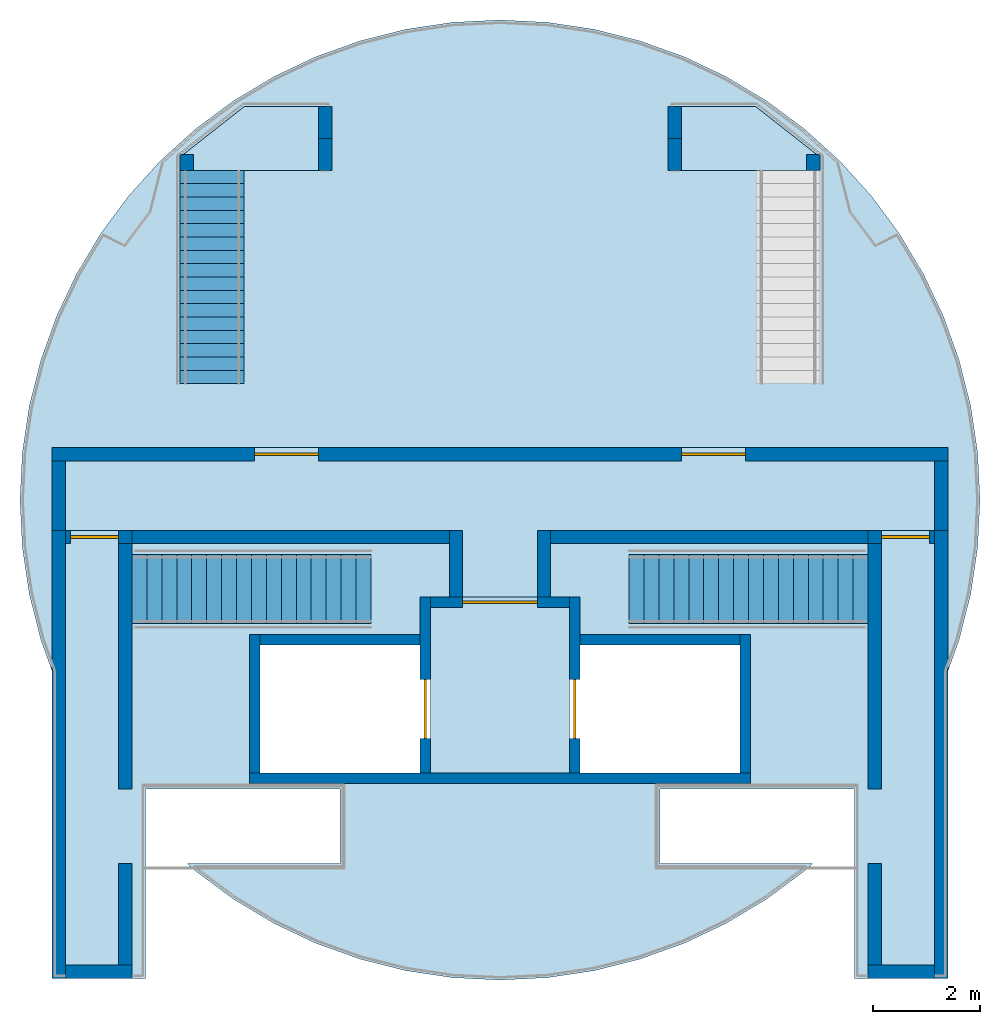
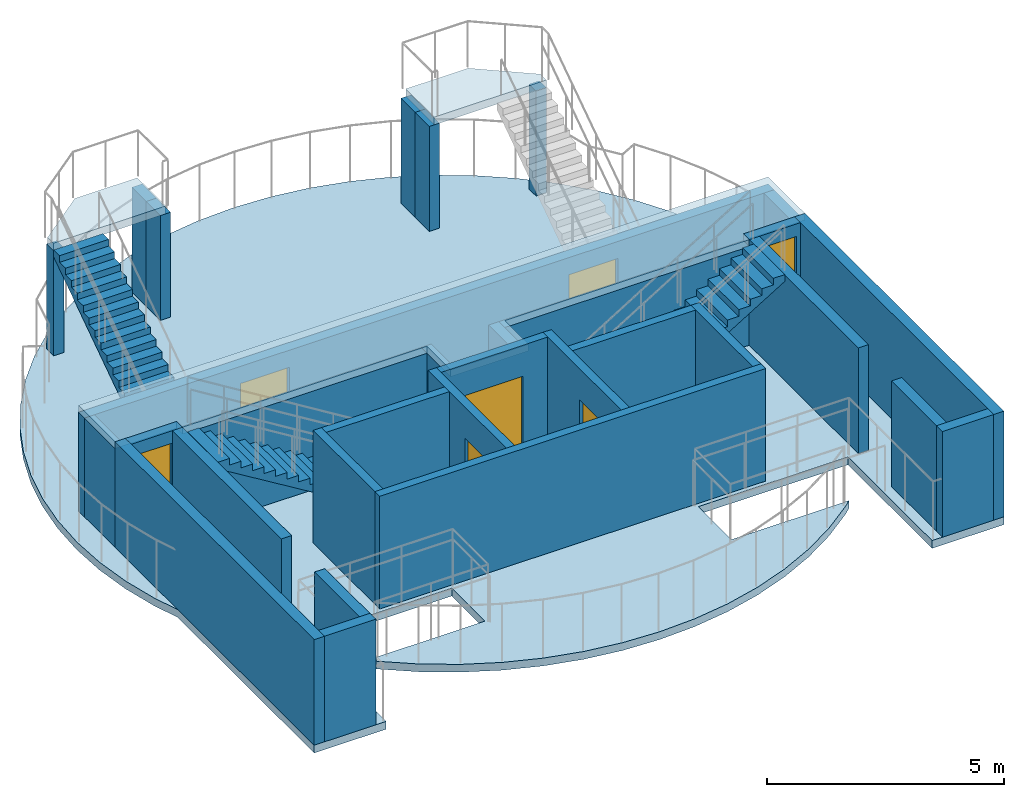
# One storey, part 1 of 4: 31 walls, 7 doors, 4 slabs, 3 stair flights, 7 openings, 4 elements without a shape of their own.
"""IFC4 building model written with IfcOpenShell, lengths in metres."""

from ifc_helpers import new_model, si_unit, direction, frame, frame_2d, origin, place, context, subcontext, project, spatial, polyline, rectangle, outline, extrude, material, layer, layer_set, type_object, element, fill, aggregate, save


model = new_model("IFC4")

# Units and contexts
model_context = context("Model", 3, precision=1e-05, world=origin(), true_north=direction((0.0, 1.0)))
body_context = subcontext(model_context, "Body", "Model", "MODEL_VIEW")
ifc_project = project(units=[si_unit("LENGTHUNIT", "METRE"), si_unit("AREAUNIT", "SQUARE_METRE"), si_unit("VOLUMEUNIT", "CUBIC_METRE"), si_unit("PLANEANGLEUNIT", "RADIAN"), si_unit("MASSUNIT", "GRAM", prefix="KILO")], contexts=[model_context])

# Site, building, storey
site_placement = place(None, origin())
site = spatial("IfcSite", under=ifc_project, at=site_placement, CompositionType="ELEMENT")
building_placement = place(site_placement, origin())
building = spatial("IfcBuilding", under=site, at=building_placement, Name="Fogline Exchange Tower", CompositionType="ELEMENT")
storey_placement = place(building_placement, frame((0.0, 0.0, 369.199951171875)))
storey = spatial("IfcBuildingStorey", under=building, at=storey_placement, Name="RF-2", CompositionType="ELEMENT", Elevation=369.199951171875)

# Slab
ifc_material_1 = material(Name="Steel Q355 grade B", Category="steel")
ifc_layer_1 = layer(ifc_material_1, 0.199951171875)
ifc_layer_set_1 = layer_set([ifc_layer_1], Name="DK4")
slab_type_1 = type_object("IfcSlabType", Name="DK4", PredefinedType="FLOOR", material=ifc_layer_set_1)
slab_1_placement = place(storey_placement, frame((0.0, 0.0, -0.199951171875)))
element("IfcSlab", 1, at=slab_1_placement, inside=storey, type_object=slab_type_1, Name="Helipad access deck", PredefinedType="FLOOR", context=body_context, shape_type="SweptSolid", body=[
    extrude(outline(polyline([(-8.612548828125, 8.357421875), (-8.39990234375, 7.763671875), (-8.39990234375, 2.0), (-6.64990234375, 2.0), (-6.64990234375, 4.14990234375), (-6.64990234375, 4.921630859375), (-6.64990234375, 5.550048828125), (-3.0, 5.550048828125), (-3.0, 4.14990234375), (-5.86083984375, 4.14990234375), (-5.70947265625, 4.012939453125), (-5.0, 3.48681640625), (-4.24267578125, 3.03271484375), (-3.444091796875, 2.655029296875), (-2.612548828125, 2.357421875), (-1.755859375, 2.142822265625), (-0.882080078125, 2.01318359375), (0.0, 1.969970703125), (0.882080078125, 2.01318359375), (1.755859375, 2.142822265625), (2.612548828125, 2.357421875), (3.444091796875, 2.655029296875), (4.24267578125, 3.03271484375), (5.0, 3.48681640625), (5.70947265625, 4.012939453125), (5.86083984375, 4.14990234375), (3.0, 4.14990234375), (3.0, 5.550048828125), (6.64990234375, 5.550048828125), (6.64990234375, 4.921630859375), (6.64990234375, 4.14990234375), (6.64990234375, 2.0), (8.39990234375, 2.0), (8.39990234375, 7.763671875), (8.612548828125, 8.357421875), (8.8271484375, 9.214111328125), (8.956787109375, 10.087890625), (9.0, 10.969970703125), (8.956787109375, 11.852294921875), (8.8271484375, 12.725830078125), (8.612548828125, 13.58251953125), (8.31494140625, 14.414306640625), (7.937255859375, 15.212646484375), (7.483154296875, 15.97021484375), (6.95703125, 16.679443359375), (6.364013671875, 17.333984375), (5.70947265625, 17.927001953125), (5.0, 18.453125), (4.24267578125, 18.9072265625), (3.444091796875, 19.284912109375), (2.612548828125, 19.58251953125), (1.755859375, 19.797119140625), (0.882080078125, 19.9267578125), (0.0, 19.969970703125), (-0.882080078125, 19.9267578125), (-1.755859375, 19.797119140625), (-2.612548828125, 19.58251953125), (-3.444091796875, 19.284912109375), (-4.24267578125, 18.9072265625), (-5.0, 18.453125), (-5.70947265625, 17.927001953125), (-6.364013671875, 17.333984375), (-6.95703125, 16.679443359375), (-7.483154296875, 15.97021484375), (-7.937255859375, 15.212646484375), (-8.31494140625, 14.414306640625), (-8.612548828125, 13.58251953125), (-8.8271484375, 12.725830078125), (-8.956787109375, 11.852294921875), (-9.0, 10.969970703125), (-8.956787109375, 10.087890625), (-8.8271484375, 9.214111328125), (-8.612548828125, 8.357421875)]), holes=[polyline([(-4.699951171875, 8.449951171875), (-1.300048828125, 8.449951171875), (-1.300048828125, 5.64990234375), (-4.699951171875, 5.64990234375), (-4.699951171875, 8.449951171875)]), polyline([(1.300048828125, 8.449951171875), (4.699951171875, 8.449951171875), (4.699951171875, 5.64990234375), (1.300048828125, 5.64990234375), (1.300048828125, 8.449951171875)])]), origin(), (0.0, 0.0, 1.0), 0.199951171875),
])

# Stair, slab
stair_type_1 = type_object("IfcStairType", Name="HST3", PredefinedType="STRAIGHT_RUN_STAIR", material=ifc_material_1)
stair_1_placement = place(storey_placement, origin())
stair_1 = element("IfcStair", 2, at=stair_1_placement, inside=storey, type_object=stair_type_1, Name="Helipad pad stair W lower flight", PredefinedType="STRAIGHT_RUN_STAIR")
ifc_layer_2 = layer(ifc_material_1, 0.199951171875)
ifc_layer_set_2 = layer_set([ifc_layer_2], Name="HL1")
slab_type_2 = type_object("IfcSlabType", Name="HL1", PredefinedType="LANDING", material=ifc_layer_set_2)
slab_2_placement = place(storey_placement, frame((0.0, 0.0, 2.699951171875)))
slab_2 = element("IfcSlab", 3, at=slab_2_placement, type_object=slab_type_2, Name="HS3 landing 1", PredefinedType="LANDING", context=body_context, shape_type="SweptSolid", body=[
    extrude(outline(polyline([(-3.27001953125, 17.14990234375), (-6.0, 17.14990234375), (-6.0, 17.39990234375), (-4.7900390625, 18.35009765625), (-3.27001953125, 18.35009765625), (-3.27001953125, 17.14990234375)])), origin(), (0.0, 0.0, 1.0), 0.2001953125),
])

stair_2_placement = place(storey_placement, origin())
stair_2 = element("IfcStair", 4, at=stair_2_placement, inside=storey, type_object=stair_type_1, Name="Helipad pad stair E lower flight", PredefinedType="STRAIGHT_RUN_STAIR")
slab_3_placement = place(storey_placement, frame((0.0, 0.0, 2.699951171875)))
slab_3 = element("IfcSlab", 5, at=slab_3_placement, type_object=slab_type_2, Name="HS4 landing 1", PredefinedType="LANDING", context=body_context, shape_type="SweptSolid", body=[
    extrude(outline(polyline([(3.27001953125, 17.14990234375), (6.0, 17.14990234375), (6.0, 17.39990234375), (4.7900390625, 18.35009765625), (3.27001953125, 18.35009765625), (3.27001953125, 17.14990234375)])), origin(), (0.0, 0.0, 1.0), 0.2001953125),
])
aggregate(stair_2, [slab_3])

# Slab
ifc_layer_3 = layer(ifc_material_1, 0.179931640625)
ifc_layer_set_3 = layer_set([ifc_layer_3], Name="LR1")
slab_type_3 = type_object("IfcSlabType", Name="LR1", PredefinedType="ROOF", material=ifc_layer_set_3)
slab_4_placement = place(storey_placement, frame((0.0, 0.0, 2.5400390625)))
element("IfcSlab", 6, at=slab_4_placement, inside=storey, type_object=slab_type_3, Name="Helipad link corridor roof", PredefinedType="ROOF", context=body_context, shape_type="SweptSolid", body=[
    extrude(outline(polyline([(0.949951171875, 9.14990234375), (-0.949951171875, 9.14990234375), (-0.949951171875, 10.14990234375), (-6.89990234375, 10.14990234375), (-6.89990234375, 10.39990234375), (-8.39990234375, 10.39990234375), (-8.39990234375, 11.949951171875), (8.39990234375, 11.949951171875), (8.39990234375, 10.39990234375), (6.89990234375, 10.39990234375), (6.89990234375, 10.14990234375), (0.949951171875, 10.14990234375), (0.949951171875, 9.14990234375)])), origin(), (0.0, 0.0, 1.0), 0.179931640625),
])

# Walls
ifc_material_2 = material(Name="Concrete C40", Category="concrete")
ifc_layer_4 = layer(ifc_material_2, 0.199951171875)
ifc_layer_set_4 = layer_set([ifc_layer_4], Name="CW20")
wall_type_1 = type_object("IfcWallType", Name="CW20", PredefinedType="SOLIDWALL", material=ifc_layer_set_4)
wall_1_placement = place(storey_placement, frame((-4.699951171875, 5.75, 0.0), z_axis=(0.0, 0.0, 1.0), x_axis=(1.0, 0.0, 0.0)))
element("IfcWall", 7, at=wall_1_placement, inside=storey, type_object=wall_type_1, Name="Lift shaft wall", PredefinedType="SOLIDWALL", context=body_context, shape_type="SweptSolid", body=[
    extrude(rectangle(XDim=9.39990234375, YDim=0.199951171875, at=frame_2d((4.699951171875, 0.0))), origin(), (0.0, 0.0, 1.0), 2.900146484375),
])
for number, where, z_axis, x_axis, name in (
    (8, (-4.60009765625, 5.85009765625, 0.0), (0.0, 0.0, 1.0), (0.0, 1.0, 0.0), "Lift shaft wall"),
    (9, (4.60009765625, 5.85009765625, 0.0), (0.0, 0.0, 1.0), (0.0, 1.0, 0.0), "Lift shaft wall"),
):
    element("IfcWall", number, at=place(storey_placement, frame(where, z_axis=z_axis, x_axis=x_axis)), inside=storey, type_object=wall_type_1, Name=name, PredefinedType="SOLIDWALL", context=body_context, shape_type="SweptSolid", body=[
        extrude(rectangle(XDim=2.599853515625, YDim=0.199951171875, at=frame_2d((1.2998046875, 0.0))), origin(), (0.0, 0.0, 1.0), 2.900146484375),
    ])

# Wall, opening, door
wall_2_placement = place(storey_placement, frame((-1.39990234375, 5.85009765625, 0.0), z_axis=(0.0, 0.0, 1.0), x_axis=(0.0, 1.0, 0.0)))
wall_2 = element("IfcWall", 10, at=wall_2_placement, inside=storey, type_object=wall_type_1, Name="Lift shaft wall", PredefinedType="SOLIDWALL", context=body_context, shape_type="SweptSolid", body=[
    extrude(rectangle(XDim=3.2998046875, YDim=0.199951171875, at=frame_2d((1.64990234375, 0.0))), origin(), (0.0, 0.0, 1.0), 2.900146484375),
])
opening_1_placement = place(wall_2_placement, frame((0.64990234375, 0.0, 0.0)))
opening_1 = element("IfcOpeningElement", 11, at=opening_1_placement, cuts=wall_2, Name="Opening RF-2-LD01", PredefinedType="OPENING", context=body_context, shape_type="SweptSolid", body=[
    extrude(rectangle(XDim=1.10009765625, YDim=2.10009765625, at=frame_2d((0.550048828125, 1.050048828125))), frame((0.0, 0.10986328125, 0.0), z_axis=(0.0, -1.0, 0.0), x_axis=(1.0, 0.0, 0.0)), (0.0, 0.0, 1.0), 0.219970703125),
])
ifc_material_3 = material(Name="Steel and timber fire door", Category="steel")
door_type_1 = type_object("IfcDoorType", Name="LD2", OperationType="SLIDING_TO_RIGHT", PredefinedType="DOOR", material=ifc_material_3)
door_1_placement = place(opening_1_placement, origin())
door_1 = element("IfcDoor", 12, at=door_1_placement, inside=storey, type_object=door_type_1, Name="Landing door FF1", OperationType="SLIDING_TO_RIGHT", OverallHeight=2.10009765625, OverallWidth=1.10009765625, PredefinedType="DOOR", context=body_context, shape_type="SweptSolid", body=[
    extrude(rectangle(XDim=1.10009765625, YDim=2.10009765625, at=frame_2d((0.550048828125, 1.050048828125))), frame((0.0, 0.02490234375, 0.0), z_axis=(0.0, -1.0, 0.0), x_axis=(1.0, 0.0, 0.0)), (0.0, 0.0, 1.0), 0.050048828125),
])
fill(opening_1, door_1)

wall_3_placement = place(storey_placement, frame((1.39990234375, 5.85009765625, 0.0), z_axis=(0.0, 0.0, 1.0), x_axis=(0.0, 1.0, 0.0)))
wall_3 = element("IfcWall", 13, at=wall_3_placement, inside=storey, type_object=wall_type_1, Name="Lift shaft wall", PredefinedType="SOLIDWALL", context=body_context, shape_type="SweptSolid", body=[
    extrude(rectangle(XDim=3.2998046875, YDim=0.199951171875, at=frame_2d((1.64990234375, 0.0))), origin(), (0.0, 0.0, 1.0), 2.900146484375),
])
opening_2_placement = place(wall_3_placement, frame((0.64990234375, 0.0, 0.0)))
opening_2 = element("IfcOpeningElement", 14, at=opening_2_placement, cuts=wall_3, Name="Opening RF-2-LD02", PredefinedType="OPENING", context=body_context, shape_type="SweptSolid", body=[
    extrude(rectangle(XDim=1.10009765625, YDim=2.10009765625, at=frame_2d((0.550048828125, 1.050048828125))), frame((0.0, 0.10986328125, 0.0), z_axis=(0.0, -1.0, 0.0), x_axis=(1.0, 0.0, 0.0)), (0.0, 0.0, 1.0), 0.219970703125),
])
door_2_placement = place(opening_2_placement, origin())
door_2 = element("IfcDoor", 15, at=door_2_placement, inside=storey, type_object=door_type_1, Name="Landing door FF2", OperationType="SLIDING_TO_RIGHT", OverallHeight=2.10009765625, OverallWidth=1.10009765625, PredefinedType="DOOR", context=body_context, shape_type="SweptSolid", body=[
    extrude(rectangle(XDim=1.10009765625, YDim=2.10009765625, at=frame_2d((0.550048828125, 1.050048828125))), frame((0.0, 0.02490234375, 0.0), z_axis=(0.0, -1.0, 0.0), x_axis=(1.0, 0.0, 0.0)), (0.0, 0.0, 1.0), 0.050048828125),
])
fill(opening_2, door_2)

# Walls
for number, where, z_axis, x_axis, name in (
    (16, (-4.5, 8.35009765625, 0.0), (0.0, 0.0, 1.0), (1.0, 0.0, 0.0), "Lift shaft wall"),
    (17, (1.5, 8.35009765625, 0.0), (0.0, 0.0, 1.0), (1.0, 0.0, 0.0), "Lift shaft wall"),
):
    element("IfcWall", number, at=place(storey_placement, frame(where, z_axis=z_axis, x_axis=x_axis)), inside=storey, type_object=wall_type_1, Name=name, PredefinedType="SOLIDWALL", context=body_context, shape_type="SweptSolid", body=[
        extrude(rectangle(XDim=3.0, YDim=0.199951171875, at=frame_2d((1.5, 0.0))), origin(), (0.0, 0.0, 1.0), 2.900146484375),
    ])

# Wall, opening, door
wall_4_placement = place(storey_placement, frame((-1.300048828125, 9.050048828125, 0.0), z_axis=(0.0, 0.0, 1.0), x_axis=(1.0, 0.0, 0.0)))
wall_4 = element("IfcWall", 18, at=wall_4_placement, inside=storey, type_object=wall_type_1, Name="Lift shaft wall", PredefinedType="SOLIDWALL", context=body_context, shape_type="SweptSolid", body=[
    extrude(rectangle(XDim=2.60009765625, YDim=0.199951171875, at=frame_2d((1.300048828125, 0.0))), origin(), (0.0, 0.0, 1.0), 2.900146484375),
])
opening_3_placement = place(wall_4_placement, frame((0.60009765625, 0.0, 0.0)))
opening_3 = element("IfcOpeningElement", 19, at=opening_3_placement, cuts=wall_4, Name="Opening RF-2-C001", PredefinedType="OPENING", context=body_context, shape_type="SweptSolid", body=[
    extrude(rectangle(XDim=1.39990234375, YDim=2.10009765625, at=frame_2d((0.699951171875, 1.050048828125))), frame((0.0, 0.10986328125, 0.0), z_axis=(0.0, -1.0, 0.0), x_axis=(1.0, 0.0, 0.0)), (0.0, 0.0, 1.0), 0.219970703125),
])
door_type_2 = type_object("IfcDoorType", Name="D-LB1", OperationType="DOUBLE_DOOR_SINGLE_SWING", PredefinedType="DOOR", material=ifc_material_3)
door_3_placement = place(opening_3_placement, frame((1.39990234375, 0.0, 0.0), z_axis=(0.0, 0.0, 1.0), x_axis=(-1.0, 0.0, 0.0)))
door_3 = element("IfcDoor", 20, at=door_3_placement, inside=storey, type_object=door_type_2, Name="Deck lobby door", OperationType="DOUBLE_DOOR_SINGLE_SWING", OverallHeight=2.10009765625, OverallWidth=1.39990234375, PredefinedType="DOOR", context=body_context, shape_type="SweptSolid", body=[
    extrude(rectangle(XDim=1.39990234375, YDim=2.10009765625, at=frame_2d((0.699951171875, 1.050048828125))), frame((0.0, 0.02490234375, 0.0), z_axis=(0.0, -1.0, 0.0), x_axis=(1.0, 0.0, 0.0)), (0.0, 0.0, 1.0), 0.050048828125),
])
fill(opening_3, door_3)

# Walls
ifc_layer_5 = layer(ifc_material_1, 0.25)
ifc_layer_set_5 = layer_set([ifc_layer_5], Name="HV1")
wall_type_2 = type_object("IfcWallType", Name="HV1", PredefinedType="SOLIDWALL", material=ifc_layer_set_5)
wall_5_placement = place(storey_placement, frame((-8.27490234375, 2.0, 0.0), z_axis=(0.0, 0.0, 1.0), x_axis=(0.0, 1.0, 0.0)))
element("IfcWall", 21, at=wall_5_placement, inside=storey, type_object=wall_type_2, Name="Helipad stair lobby wall W", PredefinedType="SOLIDWALL", context=body_context, shape_type="SweptSolid", body=[
    extrude(rectangle(XDim=8.39990234375, YDim=0.25, at=frame_2d((4.199951171875, 0.0))), origin(), (0.0, 0.0, 1.0), 2.719970703125),
])
wall_6_placement = place(storey_placement, frame((-8.14990234375, 2.125, 0.0), z_axis=(0.0, 0.0, 1.0), x_axis=(1.0, 0.0, 0.0)))
element("IfcWall", 22, at=wall_6_placement, inside=storey, type_object=wall_type_2, Name="Helipad stair lobby wall W", PredefinedType="SOLIDWALL", context=body_context, shape_type="SweptSolid", body=[
    extrude(rectangle(XDim=1.25, YDim=0.25, at=frame_2d((0.625, 0.0))), origin(), (0.0, 0.0, 1.0), 2.719970703125),
])
wall_7_placement = place(storey_placement, frame((-7.02490234375, 2.25, 0.0), z_axis=(0.0, 0.0, 1.0), x_axis=(0.0, 1.0, 0.0)))
element("IfcWall", 23, at=wall_7_placement, inside=storey, type_object=wall_type_2, Name="Helipad stair lobby wall W", PredefinedType="SOLIDWALL", context=body_context, shape_type="SweptSolid", body=[
    extrude(rectangle(XDim=1.89990234375, YDim=0.25, at=frame_2d((0.949951171875, 0.0))), origin(), (0.0, 0.0, 1.0), 2.719970703125),
])
wall_8_placement = place(storey_placement, frame((-7.02490234375, 5.550048828125, 0.0), z_axis=(0.0, 0.0, 1.0), x_axis=(0.0, 1.0, 0.0)))
element("IfcWall", 24, at=wall_8_placement, inside=storey, type_object=wall_type_2, Name="Helipad stair lobby wall W", PredefinedType="SOLIDWALL", context=body_context, shape_type="SweptSolid", body=[
    extrude(rectangle(XDim=4.599853515625, YDim=0.25, at=frame_2d((2.2998046875, 0.0))), origin(), (0.0, 0.0, 1.0), 2.719970703125),
])

# Wall, opening, door
wall_9_placement = place(storey_placement, frame((-6.89990234375, 10.27490234375, 0.0), z_axis=(0.0, 0.0, 1.0), x_axis=(-1.0, 0.0, 0.0)))
wall_9 = element("IfcWall", 25, at=wall_9_placement, inside=storey, type_object=wall_type_2, Name="Helipad stair lobby wall W", PredefinedType="SOLIDWALL", context=body_context, shape_type="SweptSolid", body=[
    extrude(rectangle(XDim=1.25, YDim=0.25, at=frame_2d((0.625, 0.0))), origin(), (0.0, 0.0, 1.0), 2.719970703125),
])
opening_4_placement = place(wall_9_placement, frame((0.2548828125, 0.0, 0.0)))
opening_4 = element("IfcOpeningElement", 26, at=opening_4_placement, cuts=wall_9, Name="Opening RF-E001", PredefinedType="OPENING", context=body_context, shape_type="SweptSolid", body=[
    extrude(rectangle(XDim=0.89990234375, YDim=2.39990234375, at=frame_2d((0.449951171875, 1.199951171875))), frame((0.0, 0.135009765625, 0.0), z_axis=(0.0, -1.0, 0.0), x_axis=(1.0, 0.0, 0.0)), (0.0, 0.0, 1.0), 0.27001953125),
])
ifc_material_4 = material(Name="Aluminium and glass", Category="aluminium")
door_type_3 = type_object("IfcDoorType", Name="ED7", OperationType="SINGLE_SWING_LEFT", PredefinedType="DOOR", material=ifc_material_4)
door_4_placement = place(opening_4_placement, frame((0.89990234375, 0.0, 0.0), z_axis=(0.0, 0.0, 1.0), x_axis=(-1.0, 0.0, 0.0)))
door_4 = element("IfcDoor", 27, at=door_4_placement, inside=storey, type_object=door_type_3, Name="Helipad stair lobby door W", OperationType="SINGLE_SWING_LEFT", OverallHeight=2.39990234375, OverallWidth=0.89990234375, PredefinedType="DOOR", context=body_context, shape_type="SweptSolid", body=[
    extrude(rectangle(XDim=0.89990234375, YDim=2.39990234375, at=frame_2d((0.449951171875, 1.199951171875))), frame((0.0, 0.02490234375, 0.0), z_axis=(0.0, -1.0, 0.0), x_axis=(1.0, 0.0, 0.0)), (0.0, 0.0, 1.0), 0.050048828125),
])
fill(opening_4, door_4)

# Walls
wall_10_placement = place(storey_placement, frame((8.27490234375, 2.0, 0.0), z_axis=(0.0, 0.0, 1.0), x_axis=(0.0, 1.0, 0.0)))
element("IfcWall", 28, at=wall_10_placement, inside=storey, type_object=wall_type_2, Name="Helipad stair lobby wall E", PredefinedType="SOLIDWALL", context=body_context, shape_type="SweptSolid", body=[
    extrude(rectangle(XDim=8.39990234375, YDim=0.25, at=frame_2d((4.199951171875, 0.0))), origin(), (0.0, 0.0, 1.0), 2.719970703125),
])
wall_11_placement = place(storey_placement, frame((8.14990234375, 2.125, 0.0), z_axis=(0.0, 0.0, 1.0), x_axis=(-1.0, 0.0, 0.0)))
element("IfcWall", 29, at=wall_11_placement, inside=storey, type_object=wall_type_2, Name="Helipad stair lobby wall E", PredefinedType="SOLIDWALL", context=body_context, shape_type="SweptSolid", body=[
    extrude(rectangle(XDim=1.25, YDim=0.25, at=frame_2d((0.625, 0.0))), origin(), (0.0, 0.0, 1.0), 2.719970703125),
])
wall_12_placement = place(storey_placement, frame((7.02490234375, 2.25, 0.0), z_axis=(0.0, 0.0, 1.0), x_axis=(0.0, 1.0, 0.0)))
element("IfcWall", 30, at=wall_12_placement, inside=storey, type_object=wall_type_2, Name="Helipad stair lobby wall E", PredefinedType="SOLIDWALL", context=body_context, shape_type="SweptSolid", body=[
    extrude(rectangle(XDim=1.89990234375, YDim=0.25, at=frame_2d((0.949951171875, 0.0))), origin(), (0.0, 0.0, 1.0), 2.719970703125),
])
wall_13_placement = place(storey_placement, frame((7.02490234375, 5.550048828125, 0.0), z_axis=(0.0, 0.0, 1.0), x_axis=(0.0, 1.0, 0.0)))
element("IfcWall", 31, at=wall_13_placement, inside=storey, type_object=wall_type_2, Name="Helipad stair lobby wall E", PredefinedType="SOLIDWALL", context=body_context, shape_type="SweptSolid", body=[
    extrude(rectangle(XDim=4.599853515625, YDim=0.25, at=frame_2d((2.2998046875, 0.0))), origin(), (0.0, 0.0, 1.0), 2.719970703125),
])

# Wall, opening, door
wall_14_placement = place(storey_placement, frame((8.14990234375, 10.27490234375, 0.0), z_axis=(0.0, 0.0, 1.0), x_axis=(-1.0, 0.0, 0.0)))
wall_14 = element("IfcWall", 32, at=wall_14_placement, inside=storey, type_object=wall_type_2, Name="Helipad stair lobby wall E", PredefinedType="SOLIDWALL", context=body_context, shape_type="SweptSolid", body=[
    extrude(rectangle(XDim=1.25, YDim=0.25, at=frame_2d((0.625, 0.0))), origin(), (0.0, 0.0, 1.0), 2.719970703125),
])
opening_5_placement = place(wall_14_placement, frame((0.094970703125, 0.0, 0.0)))
opening_5 = element("IfcOpeningElement", 33, at=opening_5_placement, cuts=wall_14, Name="Opening RF-E002", PredefinedType="OPENING", context=body_context, shape_type="SweptSolid", body=[
    extrude(rectangle(XDim=0.89990234375, YDim=2.39990234375, at=frame_2d((0.449951171875, 1.199951171875))), frame((0.0, 0.135009765625, 0.0), z_axis=(0.0, -1.0, 0.0), x_axis=(1.0, 0.0, 0.0)), (0.0, 0.0, 1.0), 0.27001953125),
])
door_5_placement = place(opening_5_placement, frame((0.89990234375, 0.0, 0.0), z_axis=(0.0, 0.0, 1.0), x_axis=(-1.0, 0.0, 0.0)))
door_5 = element("IfcDoor", 34, at=door_5_placement, inside=storey, type_object=door_type_3, Name="Helipad stair lobby door E", OperationType="SINGLE_SWING_LEFT", OverallHeight=2.39990234375, OverallWidth=0.89990234375, PredefinedType="DOOR", context=body_context, shape_type="SweptSolid", body=[
    extrude(rectangle(XDim=0.89990234375, YDim=2.39990234375, at=frame_2d((0.449951171875, 1.199951171875))), frame((0.0, 0.02490234375, 0.0), z_axis=(0.0, -1.0, 0.0), x_axis=(1.0, 0.0, 0.0)), (0.0, 0.0, 1.0), 0.050048828125),
])
fill(opening_5, door_5)

# Walls
for number, where, z_axis, x_axis, name in (
    (35, (-3.27490234375, 17.14990234375, 0.0), (0.0, 0.0, 1.0), (0.0, 1.0, 0.0), "Pad stair landing wall"),
    (36, (-3.27490234375, 17.75, 0.0), (0.0, 0.0, 1.0), (0.0, 1.0, 0.0), "Pad stair landing wall"),
):
    element("IfcWall", number, at=place(storey_placement, frame(where, z_axis=z_axis, x_axis=x_axis)), inside=storey, type_object=wall_type_2, Name=name, PredefinedType="SOLIDWALL", context=body_context, shape_type="SweptSolid", body=[
        extrude(rectangle(XDim=0.60009765625, YDim=0.25, at=frame_2d((0.300048828125, 0.0))), origin(), (0.0, 0.0, 1.0), 2.699951171875),
    ])
wall_15_placement = place(storey_placement, frame((-5.875, 17.14990234375, 0.0), z_axis=(0.0, 0.0, 1.0), x_axis=(0.0, 1.0, 0.0)))
element("IfcWall", 37, at=wall_15_placement, inside=storey, type_object=wall_type_2, Name="Pad stair landing wall", PredefinedType="SOLIDWALL", context=body_context, shape_type="SweptSolid", body=[
    extrude(rectangle(XDim=0.300048828125, YDim=0.25, at=frame_2d((0.14990234375, 0.0))), origin(), (0.0, 0.0, 1.0), 2.699951171875),
])
for number, where, z_axis, x_axis, name in (
    (38, (3.27490234375, 17.14990234375, 0.0), (0.0, 0.0, 1.0), (0.0, 1.0, 0.0), "Pad stair landing wall"),
    (39, (3.27490234375, 17.75, 0.0), (0.0, 0.0, 1.0), (0.0, 1.0, 0.0), "Pad stair landing wall"),
):
    element("IfcWall", number, at=place(storey_placement, frame(where, z_axis=z_axis, x_axis=x_axis)), inside=storey, type_object=wall_type_2, Name=name, PredefinedType="SOLIDWALL", context=body_context, shape_type="SweptSolid", body=[
        extrude(rectangle(XDim=0.60009765625, YDim=0.25, at=frame_2d((0.300048828125, 0.0))), origin(), (0.0, 0.0, 1.0), 2.699951171875),
    ])
wall_16_placement = place(storey_placement, frame((5.875, 17.14990234375, 0.0), z_axis=(0.0, 0.0, 1.0), x_axis=(0.0, 1.0, 0.0)))
element("IfcWall", 40, at=wall_16_placement, inside=storey, type_object=wall_type_2, Name="Pad stair landing wall", PredefinedType="SOLIDWALL", context=body_context, shape_type="SweptSolid", body=[
    extrude(rectangle(XDim=0.300048828125, YDim=0.25, at=frame_2d((0.14990234375, 0.0))), origin(), (0.0, 0.0, 1.0), 2.699951171875),
])

# Wall, openings, doors
ifc_layer_6 = layer(ifc_material_1, 0.25)
ifc_layer_set_6 = layer_set([ifc_layer_6], Name="LW1")
wall_type_3 = type_object("IfcWallType", Name="LW1", PredefinedType="SOLIDWALL", material=ifc_layer_set_6)
wall_17_placement = place(storey_placement, frame((-8.39990234375, 11.824951171875, 0.0), z_axis=(0.0, 0.0, 1.0), x_axis=(1.0, 0.0, 0.0)))
wall_17 = element("IfcWall", 41, at=wall_17_placement, inside=storey, type_object=wall_type_3, Name="Helipad link corridor wall", PredefinedType="SOLIDWALL", context=body_context, shape_type="SweptSolid", body=[
    extrude(rectangle(XDim=16.7998046875, YDim=0.25, at=frame_2d((8.39990234375, 0.0))), origin(), (0.0, 0.0, 1.0), 2.5400390625),
])
opening_6_placement = place(wall_17_placement, frame((3.800048828125, 0.0, 0.0)))
opening_6 = element("IfcOpeningElement", 42, at=opening_6_placement, cuts=wall_17, Name="Opening RF-2-D001", PredefinedType="OPENING", context=body_context, shape_type="SweptSolid", body=[
    extrude(rectangle(XDim=1.199951171875, YDim=2.10009765625, at=frame_2d((0.60009765625, 1.050048828125))), frame((0.0, 0.135009765625, 0.0), z_axis=(0.0, -1.0, 0.0), x_axis=(1.0, 0.0, 0.0)), (0.0, 0.0, 1.0), 0.27001953125),
])
opening_7_placement = place(wall_17_placement, frame((11.800048828125, 0.0, 0.0)))
opening_7 = element("IfcOpeningElement", 43, at=opening_7_placement, cuts=wall_17, Name="Opening RF-2-D002", PredefinedType="OPENING", context=body_context, shape_type="SweptSolid", body=[
    extrude(rectangle(XDim=1.199951171875, YDim=2.10009765625, at=frame_2d((0.60009765625, 1.050048828125))), frame((0.0, 0.135009765625, 0.0), z_axis=(0.0, -1.0, 0.0), x_axis=(1.0, 0.0, 0.0)), (0.0, 0.0, 1.0), 0.27001953125),
])
ifc_material_5 = material(Name="Steel Q235B", Category="steel")
door_type_4 = type_object("IfcDoorType", Name="PD7", OperationType="SINGLE_SWING_LEFT", PredefinedType="DOOR", material=ifc_material_5)
door_6_placement = place(opening_6_placement, origin())
door_6 = element("IfcDoor", 44, at=door_6_placement, inside=storey, type_object=door_type_4, Name="Helipad link exit door", OperationType="SINGLE_SWING_RIGHT", OverallHeight=2.10009765625, OverallWidth=1.199951171875, PredefinedType="DOOR", context=body_context, shape_type="SweptSolid", body=[
    extrude(rectangle(XDim=1.199951171875, YDim=2.10009765625, at=frame_2d((0.60009765625, 1.050048828125))), frame((0.0, 0.02490234375, 0.0), z_axis=(0.0, -1.0, 0.0), x_axis=(1.0, 0.0, 0.0)), (0.0, 0.0, 1.0), 0.050048828125),
])
fill(opening_6, door_6)
door_7_placement = place(opening_7_placement, origin())
door_7 = element("IfcDoor", 45, at=door_7_placement, inside=storey, type_object=door_type_4, Name="Helipad link exit door", OperationType="SINGLE_SWING_LEFT", OverallHeight=2.10009765625, OverallWidth=1.199951171875, PredefinedType="DOOR", context=body_context, shape_type="SweptSolid", body=[
    extrude(rectangle(XDim=1.199951171875, YDim=2.10009765625, at=frame_2d((0.60009765625, 1.050048828125))), frame((0.0, 0.02490234375, 0.0), z_axis=(0.0, -1.0, 0.0), x_axis=(1.0, 0.0, 0.0)), (0.0, 0.0, 1.0), 0.050048828125),
])
fill(opening_7, door_7)

# Walls
for number, where, z_axis, x_axis, name in (
    (46, (-8.27490234375, 10.39990234375, 0.0), (0.0, 0.0, 1.0), (0.0, 1.0, 0.0), "Helipad link corridor wall"),
    (47, (8.27490234375, 10.39990234375, 0.0), (0.0, 0.0, 1.0), (0.0, 1.0, 0.0), "Helipad link corridor wall"),
):
    element("IfcWall", number, at=place(storey_placement, frame(where, z_axis=z_axis, x_axis=x_axis)), inside=storey, type_object=wall_type_3, Name=name, PredefinedType="SOLIDWALL", context=body_context, shape_type="SweptSolid", body=[
        extrude(rectangle(XDim=1.300048828125, YDim=0.25, at=frame_2d((0.64990234375, 0.0))), origin(), (0.0, 0.0, 1.0), 2.5400390625),
    ])
for number, where, z_axis, x_axis, name in (
    (48, (-6.89990234375, 10.27490234375, 0.0), (0.0, 0.0, 1.0), (1.0, 0.0, 0.0), "Helipad link corridor wall"),
    (49, (0.949951171875, 10.27490234375, 0.0), (0.0, 0.0, 1.0), (1.0, 0.0, 0.0), "Helipad link corridor wall"),
):
    element("IfcWall", number, at=place(storey_placement, frame(where, z_axis=z_axis, x_axis=x_axis)), inside=storey, type_object=wall_type_3, Name=name, PredefinedType="SOLIDWALL", context=body_context, shape_type="SweptSolid", body=[
        extrude(rectangle(XDim=5.949951171875, YDim=0.25, at=frame_2d((2.97509765625, 0.0))), origin(), (0.0, 0.0, 1.0), 2.5400390625),
    ])
for number, where, z_axis, x_axis, name in (
    (50, (-0.824951171875, 9.14990234375, 0.0), (0.0, 0.0, 1.0), (0.0, 1.0, 0.0), "Helipad link corridor wall"),
    (51, (0.824951171875, 9.14990234375, 0.0), (0.0, 0.0, 1.0), (0.0, 1.0, 0.0), "Helipad link corridor wall"),
):
    element("IfcWall", number, at=place(storey_placement, frame(where, z_axis=z_axis, x_axis=x_axis)), inside=storey, type_object=wall_type_3, Name=name, PredefinedType="SOLIDWALL", context=body_context, shape_type="SweptSolid", body=[
        extrude(rectangle(XDim=1.25, YDim=0.25, at=frame_2d((0.625, 0.0))), origin(), (0.0, 0.0, 1.0), 2.5400390625),
    ])

# Stair flight
stair_flight_type_1 = type_object("IfcStairFlightType", Name="HF1", PredefinedType="STRAIGHT", material=ifc_material_1)
stair_flight_1_placement = place(storey_placement, frame((-5.39990234375, 13.14990234375, 0.0), z_axis=(0.0, 0.0, 1.0), x_axis=(0.0, 1.0, 0.0)))
stair_flight_1 = element("IfcStairFlight", 52, at=stair_flight_1_placement, type_object=stair_flight_type_1, Name="HS3 flight 1", NumberOfRisers=17, NumberOfTreads=16, PredefinedType="STRAIGHT", RiserHeight=0.170588235, TreadLength=0.25, context=body_context, shape_type="SweptSolid", body=[
    extrude(outline(polyline([(0.0, 0.0), (0.0, 0.170654296875), (0.25, 0.170654296875), (0.25, 0.341064453125), (0.5, 0.341064453125), (0.5, 0.51171875), (0.75, 0.51171875), (0.75, 0.682373046875), (1.0, 0.682373046875), (1.0, 0.85302734375), (1.25, 0.85302734375), (1.25, 1.0234375), (1.5, 1.0234375), (1.5, 1.194091796875), (1.75, 1.194091796875), (1.75, 1.36474609375), (2.0, 1.36474609375), (2.0, 1.535400390625), (2.25, 1.535400390625), (2.25, 1.705810546875), (2.5, 1.705810546875), (2.5, 1.87646484375), (2.75, 1.87646484375), (2.75, 2.047119140625), (3.0, 2.047119140625), (3.0, 2.217529296875), (3.25, 2.217529296875), (3.25, 2.38818359375), (3.5, 2.38818359375), (3.5, 2.558837890625), (3.75, 2.558837890625), (3.75, 2.7294921875), (4.0, 2.7294921875), (4.0, 2.89990234375), (4.0, 2.5478515625), (0.265869140625, 0.0), (0.0, 0.0)])), frame((0.0, 0.60009765625, 0.0), z_axis=(0.0, -1.0, 0.0), x_axis=(1.0, 0.0, 0.0)), (0.0, 0.0, 1.0), 1.199951171875),
])

aggregate(stair_1, [stair_flight_1, slab_2])

# Stair, stair flight
stair_type_2 = type_object("IfcStairType", Name="HST2", PredefinedType="STRAIGHT_RUN_STAIR", material=ifc_material_1)
stair_3_placement = place(storey_placement, origin())
stair_3 = element("IfcStair", 53, at=stair_3_placement, inside=storey, type_object=stair_type_2, Name="Roof access stair RS1", PredefinedType="STRAIGHT_RUN_STAIR")
stair_flight_type_2 = type_object("IfcStairFlightType", Name="HF2", PredefinedType="STRAIGHT", material=ifc_material_1)
stair_flight_2_placement = place(storey_placement, frame((-2.419921875, 9.300048828125, 0.0), z_axis=(0.0, 0.0, 1.0), x_axis=(-1.0, 0.0, 0.0)))
stair_flight_2 = element("IfcStairFlight", 54, at=stair_flight_2_placement, type_object=stair_flight_type_2, Name="RS1 flight 1", NumberOfRisers=17, NumberOfTreads=16, PredefinedType="STRAIGHT", RiserHeight=0.170588235, TreadLength=0.28, context=body_context, shape_type="SweptSolid", body=[
    extrude(outline(polyline([(0.0, 0.0), (0.0, 0.170654296875), (0.280029296875, 0.170654296875), (0.280029296875, 0.341064453125), (0.56005859375, 0.341064453125), (0.56005859375, 0.51171875), (0.840087890625, 0.51171875), (0.840087890625, 0.682373046875), (1.1201171875, 0.682373046875), (1.1201171875, 0.85302734375), (1.39990234375, 0.85302734375), (1.39990234375, 1.0234375), (1.679931640625, 1.0234375), (1.679931640625, 1.194091796875), (1.9599609375, 1.194091796875), (1.9599609375, 1.36474609375), (2.239990234375, 1.36474609375), (2.239990234375, 1.535400390625), (2.52001953125, 1.535400390625), (2.52001953125, 1.705810546875), (2.800048828125, 1.705810546875), (2.800048828125, 1.87646484375), (3.080078125, 1.87646484375), (3.080078125, 2.047119140625), (3.360107421875, 2.047119140625), (3.360107421875, 2.217529296875), (3.639892578125, 2.217529296875), (3.639892578125, 2.38818359375), (3.919921875, 2.38818359375), (3.919921875, 2.558837890625), (4.199951171875, 2.558837890625), (4.199951171875, 2.7294921875), (4.47998046875, 2.7294921875), (4.47998046875, 2.89990234375), (4.47998046875, 2.553955078125), (0.2880859375, 0.0), (0.0, 0.0)])), frame((0.0, 0.64990234375, 0.0), z_axis=(0.0, -1.0, 0.0), x_axis=(1.0, 0.0, 0.0)), (0.0, 0.0, 1.0), 1.300048828125),
])
aggregate(stair_3, [stair_flight_2])

stair_4_placement = place(storey_placement, origin())
stair_4 = element("IfcStair", 55, at=stair_4_placement, inside=storey, type_object=stair_type_2, Name="Roof access stair RS2", PredefinedType="STRAIGHT_RUN_STAIR")
stair_flight_3_placement = place(storey_placement, frame((2.419921875, 9.300048828125, 0.0), z_axis=(0.0, 0.0, 1.0), x_axis=(1.0, 0.0, 0.0)))
stair_flight_3 = element("IfcStairFlight", 56, at=stair_flight_3_placement, type_object=stair_flight_type_2, Name="RS2 flight 1", NumberOfRisers=17, NumberOfTreads=16, PredefinedType="STRAIGHT", RiserHeight=0.170588235, TreadLength=0.28, context=body_context, shape_type="SweptSolid", body=[
    extrude(outline(polyline([(0.0, 0.0), (0.0, 0.170654296875), (0.280029296875, 0.170654296875), (0.280029296875, 0.341064453125), (0.56005859375, 0.341064453125), (0.56005859375, 0.51171875), (0.840087890625, 0.51171875), (0.840087890625, 0.682373046875), (1.1201171875, 0.682373046875), (1.1201171875, 0.85302734375), (1.39990234375, 0.85302734375), (1.39990234375, 1.0234375), (1.679931640625, 1.0234375), (1.679931640625, 1.194091796875), (1.9599609375, 1.194091796875), (1.9599609375, 1.36474609375), (2.239990234375, 1.36474609375), (2.239990234375, 1.535400390625), (2.52001953125, 1.535400390625), (2.52001953125, 1.705810546875), (2.800048828125, 1.705810546875), (2.800048828125, 1.87646484375), (3.080078125, 1.87646484375), (3.080078125, 2.047119140625), (3.360107421875, 2.047119140625), (3.360107421875, 2.217529296875), (3.639892578125, 2.217529296875), (3.639892578125, 2.38818359375), (3.919921875, 2.38818359375), (3.919921875, 2.558837890625), (4.199951171875, 2.558837890625), (4.199951171875, 2.7294921875), (4.47998046875, 2.7294921875), (4.47998046875, 2.89990234375), (4.47998046875, 2.553955078125), (0.2880859375, 0.0), (0.0, 0.0)])), frame((0.0, 0.64990234375, 0.0), z_axis=(0.0, -1.0, 0.0), x_axis=(1.0, 0.0, 0.0)), (0.0, 0.0, 1.0), 1.300048828125),
])
aggregate(stair_4, [stair_flight_3])

save(model, "model.ifc")
